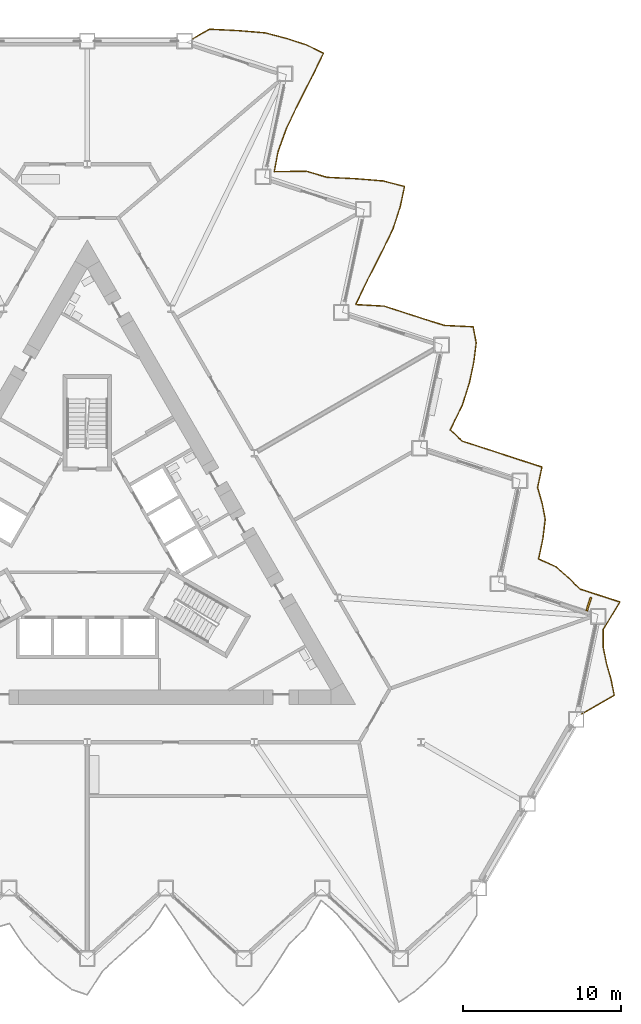
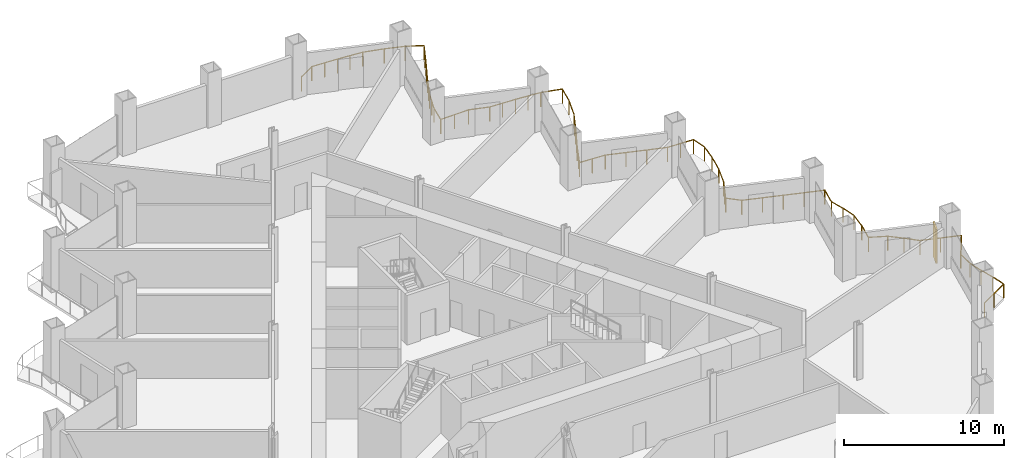
# One storey, part 19 of 21: 1 railing, 1 shading device.
"""IFC4 building model written with IfcOpenShell, lengths in metres."""

from ifc_helpers import new_model, si_unit, direction, frame, origin, origin_2d, place, context, subcontext, project, spatial, rectangle, circle, extrude, material, layer, layer_set, type_object, element, save


model = new_model("IFC4")

# Units and contexts
model_context = context("Model", 3, precision=1e-05, world=origin(), true_north=direction((0.0, 1.0)))
body_context = subcontext(model_context, "Body", "Model", "MODEL_VIEW")
ifc_project = project(units=[si_unit("LENGTHUNIT", "METRE"), si_unit("AREAUNIT", "SQUARE_METRE"), si_unit("VOLUMEUNIT", "CUBIC_METRE"), si_unit("PLANEANGLEUNIT", "RADIAN"), si_unit("MASSUNIT", "GRAM", prefix="KILO")], contexts=[model_context])

# Site, building, storey
site_placement = place(None, origin())
site = spatial("IfcSite", under=ifc_project, at=site_placement, CompositionType="ELEMENT")
building_placement = place(site_placement, origin())
building = spatial("IfcBuilding", under=site, at=building_placement, Name="Cormorant Prow Tower", CompositionType="ELEMENT")
storey_placement = place(building_placement, frame((0.0, 0.0, 76.199951171875)))
storey = spatial("IfcBuildingStorey", under=building, at=storey_placement, Name="L16", CompositionType="ELEMENT", Elevation=76.199951171875)

# Railing
ifc_material_1 = material(Name="Aluminium 6063-T6", Category="aluminium")
railing_type = type_object("IfcRailingType", Name="Balcony guard 1100", PredefinedType="GUARDRAIL", material=ifc_material_1)
railing_placement = place(storey_placement, frame((31.3291015625, -10.435791015625, 0.0)))
element("IfcRailing", 1, at=railing_placement, inside=storey, type_object=railing_type, Name="Balcony guard ENE", PredefinedType="GUARDRAIL", context=body_context, shape_type="SweptSolid", body=[
    extrude(circle(Radius=0.02392578125, at=origin_2d()), frame((0.0, 0.0, 1.076171875), z_axis=(0.866028295127, 0.499994992015, 0.0), x_axis=(-0.499994992015, 0.866028295127, 0.0)), (0.0, 0.0, 1.0), 2.40380859375),
    extrude(circle(Radius=0.02392578125, at=origin_2d()), frame((2.081787109375, 1.201904296875, 1.076171875), z_axis=(-0.198908748449, 0.980018015034, 0.0), x_axis=(-0.980018015034, -0.198908748449, 0.0)), (0.0, 0.0, 1.0), 1.0419921875),
    extrude(circle(Radius=0.02392578125, at=origin_2d()), frame((1.87451171875, 2.22314453125, 1.076171875), z_axis=(-0.277475706579, 0.960732653894, 0.0), x_axis=(-0.960732653894, -0.277475706579, 0.0)), (0.0, 0.0, 1.0), 1.01806640625),
    extrude(circle(Radius=0.02392578125, at=origin_2d()), frame((1.592041015625, 3.201171875, 1.076171875), z_axis=(-0.200171251188, 0.979760925021, 0.0), x_axis=(-0.979760925021, -0.200171251188, 0.0)), (0.0, 0.0, 1.0), 1.04150390625),
    extrude(circle(Radius=0.02392578125, at=origin_2d()), frame((1.383544921875, 4.2216796875, 1.076171875), z_axis=(-0.004720977432, 0.999988856124, 0.0), x_axis=(-0.999988856124, -0.004720977432, 0.0)), (0.0, 0.0, 1.0), 1.1376953125),
    extrude(circle(Radius=0.02392578125, at=origin_2d()), frame((1.378173828125, 5.359375, 1.076171875), z_axis=(0.517541068075, 0.855658368074, 0.0), x_axis=(-0.855658368074, 0.517541068075, 0.0)), (0.0, 0.0, 1.0), 2.04931640625),
    extrude(circle(Radius=0.02392578125, at=origin_2d()), frame((2.438720703125, 7.11279296875, 1.076171875), z_axis=(-0.951043514724, 0.309057006233, 0.0), x_axis=(-0.309057006233, -0.951043514724, 0.0)), (0.0, 0.0, 1.0), 1.32958984375),
    extrude(circle(Radius=0.02392578125, at=origin_2d()), frame((1.17431640625, 7.523681640625, 1.076171875), z_axis=(-0.951061050214, 0.30900304006, 0.0), x_axis=(-0.30900304006, -0.951061050214, 0.0)), (0.0, 0.0, 1.0), 1.329833984375),
    extrude(circle(Radius=0.02392578125, at=origin_2d()), frame((-0.09033203125, 7.9345703125, 1.076171875), z_axis=(-0.717371019466, 0.69669133799, 0.0), x_axis=(-0.69669133799, -0.717371019466, 0.0)), (0.0, 0.0, 1.0), 1.027099609375),
    extrude(circle(Radius=0.02392578125, at=origin_2d()), frame((-0.8271484375, 8.650146484375, 1.076171875), z_axis=(-0.746748818819, 0.665106158138, 0.0), x_axis=(-0.665106158138, -0.746748818819, 0.0)), (0.0, 0.0, 1.0), 1.04052734375),
    extrude(circle(Radius=0.02392578125, at=origin_2d()), frame((-1.604248046875, 9.34228515625, 1.076171875), z_axis=(-0.911925256082, 0.410356341877, 0.0), x_axis=(-0.410356341877, -0.911925256082, 0.0)), (0.0, 0.0, 1.0), 1.2177734375),
    extrude(circle(Radius=0.02392578125, at=origin_2d()), frame((-2.71484375, 9.842041015625, 1.076171875), z_axis=(0.208036630987, 0.978121035541, 0.0), x_axis=(-0.978121035541, 0.208036630987, 0.0)), (0.0, 0.0, 1.0), 1.32958984375),
    extrude(circle(Radius=0.02392578125, at=origin_2d()), frame((-2.438232421875, 11.142578125, 1.076171875), z_axis=(0.118115347532, 0.992999881509, 0.0), x_axis=(-0.992999881509, 0.118115347532, 0.0)), (0.0, 0.0, 1.0), 1.23388671875),
    extrude(circle(Radius=0.02392578125, at=origin_2d()), frame((-2.29248046875, 12.367919921875, 1.076171875), z_axis=(-0.193641917356, 0.981072274526, 0.0), x_axis=(-0.981072274526, -0.193641917356, 0.0)), (0.0, 0.0, 1.0), 1.0439453125),
    extrude(circle(Radius=0.02392578125, at=origin_2d()), frame((-2.49462890625, 13.39208984375, 1.076171875), z_axis=(-0.277539652821, 0.960714182841, 0.0), x_axis=(-0.960714182841, -0.277539652821, 0.0)), (0.0, 0.0, 1.0), 1.017822265625),
    extrude(circle(Radius=0.02392578125, at=origin_2d()), frame((-2.777099609375, 14.369873046875, 1.076171875), z_axis=(0.207232499737, 0.978291720834, 0.0), x_axis=(-0.978291720834, 0.207232499737, 0.0)), (0.0, 0.0, 1.0), 1.328857421875),
    extrude(circle(Radius=0.02392578125, at=origin_2d()), frame((-2.501708984375, 15.669921875, 1.076171875), z_axis=(-0.951043514724, 0.309057006233, 0.0), x_axis=(-0.309057006233, -0.951043514724, 0.0)), (0.0, 0.0, 1.0), 1.32958984375),
    extrude(circle(Radius=0.02392578125, at=origin_2d()), frame((-3.76611328125, 16.080810546875, 1.076171875), z_axis=(-0.951061050214, 0.30900304006, 0.0), x_axis=(-0.30900304006, -0.951061050214, 0.0)), (0.0, 0.0, 1.0), 1.329833984375),
    extrude(circle(Radius=0.02392578125, at=origin_2d()), frame((-5.03076171875, 16.49169921875, 1.076171875), z_axis=(-0.951061050214, 0.30900304006, 0.0), x_axis=(-0.30900304006, -0.951061050214, 0.0)), (0.0, 0.0, 1.0), 1.329833984375),
    extrude(circle(Radius=0.02392578125, at=origin_2d()), frame((-6.29541015625, 16.902587890625, 1.076171875), z_axis=(-0.951097478382, 0.308890897594, 0.0), x_axis=(-0.308890897594, -0.951097478382, 0.0)), (0.0, 0.0, 1.0), 1.329345703125),
    extrude(circle(Radius=0.02392578125, at=origin_2d()), frame((-7.559814453125, 17.313232421875, 1.076171875), z_axis=(-0.731023839437, 0.682351922526, 0.0), x_axis=(-0.682351922526, -0.731023839437, 0.0)), (0.0, 0.0, 1.0), 1.033203125),
    extrude(circle(Radius=0.02392578125, at=origin_2d()), frame((-8.315185546875, 18.018310546875, 1.076171875), z_axis=(0.436535384225, 0.899687089115, 0.0), x_axis=(-0.899687089115, 0.436535384225, 0.0)), (0.0, 0.0, 1.0), 1.76123046875),
    extrude(circle(Radius=0.02392578125, at=origin_2d()), frame((-7.54638671875, 19.602783203125, 1.076171875), z_axis=(0.302860020499, 0.953035050763, 0.0), x_axis=(-0.953035050763, 0.302860020499, 0.0)), (0.0, 0.0, 1.0), 1.46630859375),
    extrude(circle(Radius=0.02392578125, at=origin_2d()), frame((-7.102294921875, 21.000244140625, 1.076171875), z_axis=(0.207860951936, 0.978158384241, 0.0), x_axis=(-0.978158384241, 0.207860951936, 0.0)), (0.0, 0.0, 1.0), 1.32958984375),
    extrude(circle(Radius=0.02392578125, at=origin_2d()), frame((-6.825927734375, 22.30078125, 1.076171875), z_axis=(0.127852937059, 0.991793136942, 0.0), x_axis=(-0.991793136942, 0.127852937059, 0.0)), (0.0, 0.0, 1.0), 1.2431640625),
    extrude(circle(Radius=0.02392578125, at=origin_2d()), frame((-6.6669921875, 23.53369140625, 1.076171875), z_axis=(-0.188388479426, 0.98209458853, 0.0), x_axis=(-0.98209458853, -0.188388479426, 0.0)), (0.0, 0.0, 1.0), 1.0458984375),
    extrude(circle(Radius=0.02392578125, at=origin_2d()), frame((-6.864013671875, 24.560791015625, 1.076171875), z_axis=(-0.998826913271, 0.048423107353, 0.0), x_axis=(-0.048423107353, -0.998826913271, 0.0)), (0.0, 0.0, 1.0), 1.8251953125),
    extrude(circle(Radius=0.02392578125, at=origin_2d()), frame((-8.68701171875, 24.649169921875, 1.076171875), z_axis=(-0.954879659628, 0.296992989192, 0.0), x_axis=(-0.296992989192, -0.954879659628, 0.0)), (0.0, 0.0, 1.0), 1.344970703125),
    extrude(circle(Radius=0.02392578125, at=origin_2d()), frame((-9.97119140625, 25.048583984375, 1.076171875), z_axis=(-0.951043514724, 0.309057006233, 0.0), x_axis=(-0.309057006233, -0.951043514724, 0.0)), (0.0, 0.0, 1.0), 1.32958984375),
    extrude(circle(Radius=0.02392578125, at=origin_2d()), frame((-11.235595703125, 25.45947265625, 1.076171875), z_axis=(-0.951061050214, 0.30900304006, 0.0), x_axis=(-0.30900304006, -0.951061050214, 0.0)), (0.0, 0.0, 1.0), 1.329833984375),
    extrude(circle(Radius=0.02392578125, at=origin_2d()), frame((-12.500244140625, 25.870361328125, 1.076171875), z_axis=(-0.998462432525, 0.055432579192, 0.0), x_axis=(-0.055432579192, -0.998462432525, 0.0)), (0.0, 0.0, 1.0), 1.8056640625),
    extrude(circle(Radius=0.02392578125, at=origin_2d()), frame((-14.30322265625, 25.970458984375, 1.076171875), z_axis=(0.429285653176, 0.903168770484, 0.0), x_axis=(-0.903168770484, 0.429285653176, 0.0)), (0.0, 0.0, 1.0), 1.74072265625),
    extrude(circle(Radius=0.02392578125, at=origin_2d()), frame((-13.555908203125, 27.542724609375, 1.076171875), z_axis=(0.457351035124, 0.889286247881, 0.0), x_axis=(-0.889286247881, 0.457351035124, 0.0)), (0.0, 0.0, 1.0), 1.8251953125),
    extrude(circle(Radius=0.02392578125, at=origin_2d()), frame((-12.72119140625, 29.165771484375, 1.076171875), z_axis=(0.437952229279, 0.898998245198, 0.0), x_axis=(-0.898998245198, 0.437952229279, 0.0)), (0.0, 0.0, 1.0), 1.765380859375),
    extrude(circle(Radius=0.02392578125, at=origin_2d()), frame((-11.947998046875, 30.7529296875, 1.076171875), z_axis=(0.309829124823, 0.950792255654, 0.0), x_axis=(-0.950792255654, 0.309829124823, 0.0)), (0.0, 0.0, 1.0), 1.478271484375),
    extrude(circle(Radius=0.02392578125, at=origin_2d()), frame((-11.489990234375, 32.158447265625, 1.076171875), z_axis=(0.208036630987, 0.978121035541, 0.0), x_axis=(-0.978121035541, 0.208036630987, 0.0)), (0.0, 0.0, 1.0), 1.32958984375),
    extrude(circle(Radius=0.02392578125, at=origin_2d()), frame((-11.21337890625, 33.458984375, 1.076171875), z_axis=(-0.96874480465, 0.248059475656, 0.0), x_axis=(-0.248059475656, -0.96874480465, 0.0)), (0.0, 0.0, 1.0), 1.413330078125),
    extrude(circle(Radius=0.02392578125, at=origin_2d()), frame((-12.58251953125, 33.8095703125, 1.076171875), z_axis=(-0.996734854111, 0.080744229517, 0.0), x_axis=(-0.080744229517, -0.996734854111, 0.0)), (0.0, 0.0, 1.0), 1.738525390625),
    extrude(circle(Radius=0.02392578125, at=origin_2d()), frame((-14.3154296875, 33.949951171875, 1.076171875), z_axis=(-0.998819803639, 0.048569536332, 0.0), x_axis=(-0.048569536332, -0.998819803639, 0.0)), (0.0, 0.0, 1.0), 1.82470703125),
    extrude(circle(Radius=0.02392578125, at=origin_2d()), frame((-16.137939453125, 34.03857421875, 1.076171875), z_axis=(-0.958210932338, 0.286062596554, 0.0), x_axis=(-0.286062596554, -0.958210932338, 0.0)), (0.0, 0.0, 1.0), 1.359619140625),
    extrude(circle(Radius=0.02392578125, at=origin_2d()), frame((-17.440673828125, 34.427490234375, 1.076171875), z_axis=(-0.999874289422, -0.015855767204, 0.0), x_axis=(0.015855767204, -0.999874289422, 0.0)), (0.0, 0.0, 1.0), 2.032470703125),
    extrude(circle(Radius=0.02392578125, at=origin_2d()), frame((-19.472900390625, 34.395263671875, 1.076171875), z_axis=(0.186638964407, 0.982428570923, 0.0), x_axis=(-0.982428570923, 0.186638964407, 0.0)), (0.0, 0.0, 1.0), 1.30419921875),
    extrude(circle(Radius=0.02392578125, at=origin_2d()), frame((-19.2294921875, 35.676513671875, 1.076171875), z_axis=(0.342074570085, 0.939672809281, 0.0), x_axis=(-0.939672809281, 0.342074570085, 0.0)), (0.0, 0.0, 1.0), 1.537353515625),
    extrude(circle(Radius=0.02392578125, at=origin_2d()), frame((-18.70361328125, 37.12109375, 1.076171875), z_axis=(0.427475740136, 0.904026820175, 0.0), x_axis=(-0.904026820175, 0.427475740136, 0.0)), (0.0, 0.0, 1.0), 1.736328125),
    extrude(circle(Radius=0.02392578125, at=origin_2d()), frame((-17.96142578125, 38.690673828125, 1.076171875), z_axis=(0.457196798991, 0.889365553073, 0.0), x_axis=(-0.889365553073, 0.457196798991, 0.0)), (0.0, 0.0, 1.0), 1.82421875),
    extrude(circle(Radius=0.02392578125, at=origin_2d()), frame((-17.12744140625, 40.31298828125, 1.076171875), z_axis=(0.439306608909, 0.898337188014, 0.0), x_axis=(-0.898337188014, 0.439306608909, 0.0)), (0.0, 0.0, 1.0), 1.77001953125),
    extrude(circle(Radius=0.02392578125, at=origin_2d()), frame((-16.349853515625, 41.903076171875, 1.076171875), z_axis=(-0.897887336001, 0.44022531941, 0.0), x_axis=(-0.44022531941, -0.897887336001, 0.0)), (0.0, 0.0, 1.0), 1.190185546875),
    extrude(circle(Radius=0.02392578125, at=origin_2d()), frame((-17.41845703125, 42.427001953125, 1.076171875), z_axis=(-0.951043514724, 0.309057006233, 0.0), x_axis=(-0.309057006233, -0.951043514724, 0.0)), (0.0, 0.0, 1.0), 1.32958984375),
    extrude(circle(Radius=0.02392578125, at=origin_2d()), frame((-18.682861328125, 42.837890625, 1.076171875), z_axis=(-0.966950432285, 0.254964431839, 0.0), x_axis=(-0.254964431839, -0.966950432285, 0.0)), (0.0, 0.0, 1.0), 1.40283203125),
    extrude(circle(Radius=0.02392578125, at=origin_2d()), frame((-20.039306640625, 43.195556640625, 1.076171875), z_axis=(-0.996565156823, 0.082812367469, 0.0), x_axis=(-0.082812367469, -0.996565156823, 0.0)), (0.0, 0.0, 1.0), 1.7333984375),
    extrude(circle(Radius=0.02392578125, at=origin_2d()), frame((-21.766845703125, 43.339111328125, 1.076171875), z_axis=(-0.998805828318, 0.048856087823, 0.0), x_axis=(-0.048856087823, -0.998805828318, 0.0)), (0.0, 0.0, 1.0), 1.823974609375),
    extrude(circle(Radius=0.02392578125, at=origin_2d()), frame((-23.588623046875, 43.42822265625, 1.076171875), z_axis=(-0.86604962328, -0.499958048256, 0.0), x_axis=(0.499958048256, -0.86604962328, 0.0)), (0.0, 0.0, 1.0), 1.28564453125),
    extrude(circle(Radius=0.02099609375, at=origin_2d()), origin(), (0.0, 0.0, 1.0), 1.052001953125),
    extrude(circle(Radius=0.02099609375, at=origin_2d()), frame((1.041015625, 0.60107421875, 0.0)), (0.0, 0.0, 1.0), 1.052001953125),
    extrude(circle(Radius=0.02099609375, at=origin_2d()), frame((2.081787109375, 1.201904296875, 0.0)), (0.0, 0.0, 1.0), 1.052001953125),
    extrude(circle(Radius=0.02099609375, at=origin_2d()), frame((1.87451171875, 2.22314453125, 0.0)), (0.0, 0.0, 1.0), 1.052001953125),
    extrude(circle(Radius=0.02099609375, at=origin_2d()), frame((1.592041015625, 3.201171875, 0.0)), (0.0, 0.0, 1.0), 1.052001953125),
    extrude(circle(Radius=0.02099609375, at=origin_2d()), frame((1.383544921875, 4.2216796875, 0.0)), (0.0, 0.0, 1.0), 1.052001953125),
    extrude(circle(Radius=0.02099609375, at=origin_2d()), frame((1.378173828125, 5.359375, 0.0)), (0.0, 0.0, 1.0), 1.052001953125),
    extrude(circle(Radius=0.02099609375, at=origin_2d()), frame((1.908447265625, 6.236083984375, 0.0)), (0.0, 0.0, 1.0), 1.052001953125),
    extrude(circle(Radius=0.02099609375, at=origin_2d()), frame((2.438720703125, 7.11279296875, 0.0)), (0.0, 0.0, 1.0), 1.052001953125),
    extrude(circle(Radius=0.02099609375, at=origin_2d()), frame((1.17431640625, 7.523681640625, 0.0)), (0.0, 0.0, 1.0), 1.052001953125),
    extrude(circle(Radius=0.02099609375, at=origin_2d()), frame((-0.09033203125, 7.9345703125, 0.0)), (0.0, 0.0, 1.0), 1.052001953125),
    extrude(circle(Radius=0.02099609375, at=origin_2d()), frame((-0.8271484375, 8.650146484375, 0.0)), (0.0, 0.0, 1.0), 1.052001953125),
    extrude(circle(Radius=0.02099609375, at=origin_2d()), frame((-1.604248046875, 9.34228515625, 0.0)), (0.0, 0.0, 1.0), 1.052001953125),
    extrude(circle(Radius=0.02099609375, at=origin_2d()), frame((-2.71484375, 9.842041015625, 0.0)), (0.0, 0.0, 1.0), 1.052001953125),
    extrude(circle(Radius=0.02099609375, at=origin_2d()), frame((-2.438232421875, 11.142578125, 0.0)), (0.0, 0.0, 1.0), 1.052001953125),
    extrude(circle(Radius=0.02099609375, at=origin_2d()), frame((-2.29248046875, 12.367919921875, 0.0)), (0.0, 0.0, 1.0), 1.052001953125),
    extrude(circle(Radius=0.02099609375, at=origin_2d()), frame((-2.49462890625, 13.39208984375, 0.0)), (0.0, 0.0, 1.0), 1.052001953125),
    extrude(circle(Radius=0.02099609375, at=origin_2d()), frame((-2.777099609375, 14.369873046875, 0.0)), (0.0, 0.0, 1.0), 1.052001953125),
    extrude(circle(Radius=0.02099609375, at=origin_2d()), frame((-2.501708984375, 15.669921875, 0.0)), (0.0, 0.0, 1.0), 1.052001953125),
    extrude(circle(Radius=0.02099609375, at=origin_2d()), frame((-3.76611328125, 16.080810546875, 0.0)), (0.0, 0.0, 1.0), 1.052001953125),
    extrude(circle(Radius=0.02099609375, at=origin_2d()), frame((-5.03076171875, 16.49169921875, 0.0)), (0.0, 0.0, 1.0), 1.052001953125),
    extrude(circle(Radius=0.02099609375, at=origin_2d()), frame((-6.29541015625, 16.902587890625, 0.0)), (0.0, 0.0, 1.0), 1.052001953125),
    extrude(circle(Radius=0.02099609375, at=origin_2d()), frame((-7.559814453125, 17.313232421875, 0.0)), (0.0, 0.0, 1.0), 1.052001953125),
    extrude(circle(Radius=0.02099609375, at=origin_2d()), frame((-8.315185546875, 18.018310546875, 0.0)), (0.0, 0.0, 1.0), 1.052001953125),
    extrude(circle(Radius=0.02099609375, at=origin_2d()), frame((-7.9306640625, 18.810546875, 0.0)), (0.0, 0.0, 1.0), 1.052001953125),
    extrude(circle(Radius=0.02099609375, at=origin_2d()), frame((-7.54638671875, 19.602783203125, 0.0)), (0.0, 0.0, 1.0), 1.052001953125),
    extrude(circle(Radius=0.02099609375, at=origin_2d()), frame((-7.102294921875, 21.000244140625, 0.0)), (0.0, 0.0, 1.0), 1.052001953125),
    extrude(circle(Radius=0.02099609375, at=origin_2d()), frame((-6.825927734375, 22.30078125, 0.0)), (0.0, 0.0, 1.0), 1.052001953125),
    extrude(circle(Radius=0.02099609375, at=origin_2d()), frame((-6.6669921875, 23.53369140625, 0.0)), (0.0, 0.0, 1.0), 1.052001953125),
    extrude(circle(Radius=0.02099609375, at=origin_2d()), frame((-6.864013671875, 24.560791015625, 0.0)), (0.0, 0.0, 1.0), 1.052001953125),
    extrude(circle(Radius=0.02099609375, at=origin_2d()), frame((-7.775390625, 24.60498046875, 0.0)), (0.0, 0.0, 1.0), 1.052001953125),
    extrude(circle(Radius=0.02099609375, at=origin_2d()), frame((-8.68701171875, 24.649169921875, 0.0)), (0.0, 0.0, 1.0), 1.052001953125),
    extrude(circle(Radius=0.02099609375, at=origin_2d()), frame((-9.97119140625, 25.048583984375, 0.0)), (0.0, 0.0, 1.0), 1.052001953125),
    extrude(circle(Radius=0.02099609375, at=origin_2d()), frame((-11.235595703125, 25.45947265625, 0.0)), (0.0, 0.0, 1.0), 1.052001953125),
    extrude(circle(Radius=0.02099609375, at=origin_2d()), frame((-12.500244140625, 25.870361328125, 0.0)), (0.0, 0.0, 1.0), 1.052001953125),
    extrude(circle(Radius=0.02099609375, at=origin_2d()), frame((-13.40185546875, 25.92041015625, 0.0)), (0.0, 0.0, 1.0), 1.052001953125),
    extrude(circle(Radius=0.02099609375, at=origin_2d()), frame((-14.30322265625, 25.970458984375, 0.0)), (0.0, 0.0, 1.0), 1.052001953125),
    extrude(circle(Radius=0.02099609375, at=origin_2d()), frame((-13.9296875, 26.756591796875, 0.0)), (0.0, 0.0, 1.0), 1.052001953125),
    extrude(circle(Radius=0.02099609375, at=origin_2d()), frame((-13.555908203125, 27.542724609375, 0.0)), (0.0, 0.0, 1.0), 1.052001953125),
    extrude(circle(Radius=0.02099609375, at=origin_2d()), frame((-13.138671875, 28.354248046875, 0.0)), (0.0, 0.0, 1.0), 1.052001953125),
    extrude(circle(Radius=0.02099609375, at=origin_2d()), frame((-12.72119140625, 29.165771484375, 0.0)), (0.0, 0.0, 1.0), 1.052001953125),
    extrude(circle(Radius=0.02099609375, at=origin_2d()), frame((-12.33447265625, 29.95947265625, 0.0)), (0.0, 0.0, 1.0), 1.052001953125),
    extrude(circle(Radius=0.02099609375, at=origin_2d()), frame((-11.947998046875, 30.7529296875, 0.0)), (0.0, 0.0, 1.0), 1.052001953125),
    extrude(circle(Radius=0.02099609375, at=origin_2d()), frame((-11.489990234375, 32.158447265625, 0.0)), (0.0, 0.0, 1.0), 1.052001953125),
    extrude(circle(Radius=0.02099609375, at=origin_2d()), frame((-11.21337890625, 33.458984375, 0.0)), (0.0, 0.0, 1.0), 1.052001953125),
    extrude(circle(Radius=0.02099609375, at=origin_2d()), frame((-12.58251953125, 33.8095703125, 0.0)), (0.0, 0.0, 1.0), 1.052001953125),
    extrude(circle(Radius=0.02099609375, at=origin_2d()), frame((-13.448974609375, 33.8798828125, 0.0)), (0.0, 0.0, 1.0), 1.052001953125),
    extrude(circle(Radius=0.02099609375, at=origin_2d()), frame((-14.3154296875, 33.949951171875, 0.0)), (0.0, 0.0, 1.0), 1.052001953125),
    extrude(circle(Radius=0.02099609375, at=origin_2d()), frame((-15.2265625, 33.994140625, 0.0)), (0.0, 0.0, 1.0), 1.052001953125),
    extrude(circle(Radius=0.02099609375, at=origin_2d()), frame((-16.137939453125, 34.03857421875, 0.0)), (0.0, 0.0, 1.0), 1.052001953125),
    extrude(circle(Radius=0.02099609375, at=origin_2d()), frame((-17.440673828125, 34.427490234375, 0.0)), (0.0, 0.0, 1.0), 1.052001953125),
    extrude(circle(Radius=0.02099609375, at=origin_2d()), frame((-18.456787109375, 34.411376953125, 0.0)), (0.0, 0.0, 1.0), 1.052001953125),
    extrude(circle(Radius=0.02099609375, at=origin_2d()), frame((-19.472900390625, 34.395263671875, 0.0)), (0.0, 0.0, 1.0), 1.052001953125),
    extrude(circle(Radius=0.02099609375, at=origin_2d()), frame((-19.2294921875, 35.676513671875, 0.0)), (0.0, 0.0, 1.0), 1.052001953125),
    extrude(circle(Radius=0.02099609375, at=origin_2d()), frame((-18.966552734375, 36.39892578125, 0.0)), (0.0, 0.0, 1.0), 1.052001953125),
    extrude(circle(Radius=0.02099609375, at=origin_2d()), frame((-18.70361328125, 37.12109375, 0.0)), (0.0, 0.0, 1.0), 1.052001953125),
    extrude(circle(Radius=0.02099609375, at=origin_2d()), frame((-18.33251953125, 37.90576171875, 0.0)), (0.0, 0.0, 1.0), 1.052001953125),
    extrude(circle(Radius=0.02099609375, at=origin_2d()), frame((-17.96142578125, 38.690673828125, 0.0)), (0.0, 0.0, 1.0), 1.052001953125),
    extrude(circle(Radius=0.02099609375, at=origin_2d()), frame((-17.54443359375, 39.501953125, 0.0)), (0.0, 0.0, 1.0), 1.052001953125),
    extrude(circle(Radius=0.02099609375, at=origin_2d()), frame((-17.12744140625, 40.31298828125, 0.0)), (0.0, 0.0, 1.0), 1.052001953125),
    extrude(circle(Radius=0.02099609375, at=origin_2d()), frame((-16.73876953125, 41.10791015625, 0.0)), (0.0, 0.0, 1.0), 1.052001953125),
    extrude(circle(Radius=0.02099609375, at=origin_2d()), frame((-16.349853515625, 41.903076171875, 0.0)), (0.0, 0.0, 1.0), 1.052001953125),
    extrude(circle(Radius=0.02099609375, at=origin_2d()), frame((-17.41845703125, 42.427001953125, 0.0)), (0.0, 0.0, 1.0), 1.052001953125),
    extrude(circle(Radius=0.02099609375, at=origin_2d()), frame((-18.682861328125, 42.837890625, 0.0)), (0.0, 0.0, 1.0), 1.052001953125),
    extrude(circle(Radius=0.02099609375, at=origin_2d()), frame((-20.039306640625, 43.195556640625, 0.0)), (0.0, 0.0, 1.0), 1.052001953125),
    extrude(circle(Radius=0.02099609375, at=origin_2d()), frame((-20.903076171875, 43.267333984375, 0.0)), (0.0, 0.0, 1.0), 1.052001953125),
    extrude(circle(Radius=0.02099609375, at=origin_2d()), frame((-21.766845703125, 43.339111328125, 0.0)), (0.0, 0.0, 1.0), 1.052001953125),
    extrude(circle(Radius=0.02099609375, at=origin_2d()), frame((-22.677734375, 43.3837890625, 0.0)), (0.0, 0.0, 1.0), 1.052001953125),
    extrude(circle(Radius=0.02099609375, at=origin_2d()), frame((-23.588623046875, 43.42822265625, 0.0)), (0.0, 0.0, 1.0), 1.052001953125),
    extrude(circle(Radius=0.02099609375, at=origin_2d()), frame((-24.7021484375, 42.785400390625, 0.0)), (0.0, 0.0, 1.0), 1.052001953125),
])

# Shading device
ifc_material_2 = material(Name="Terracotta", Category="masonry")
ifc_layer = layer(ifc_material_2, 0.1201171875)
ifc_layer_set = layer_set([ifc_layer], Name="Terracotta")
shading_device_type = type_object("IfcShadingDeviceType", Name="Terracotta baguette fin 120x900x2600", PredefinedType="USERDEFINED", material=ifc_layer_set)
shading_device_placement = place(storey_placement, frame((31.795654296875, -3.459228515625, 0.0), z_axis=(0.0, 0.0, 1.0), x_axis=(-0.951056545862, 0.309016903379, 0.0)))
element("IfcShadingDevice", 2, at=shading_device_placement, inside=storey, type_object=shading_device_type, Name="Baguette fin ENE01", ObjectType="BAGUETTE", PredefinedType="USERDEFINED", context=body_context, shape_type="SweptSolid", body=[
    extrude(rectangle(XDim=0.1201171875, YDim=0.89990234375, at=origin_2d()), origin(), (0.0, 0.0, 1.0), 2.60009765625),
])

save(model, "model.ifc")
